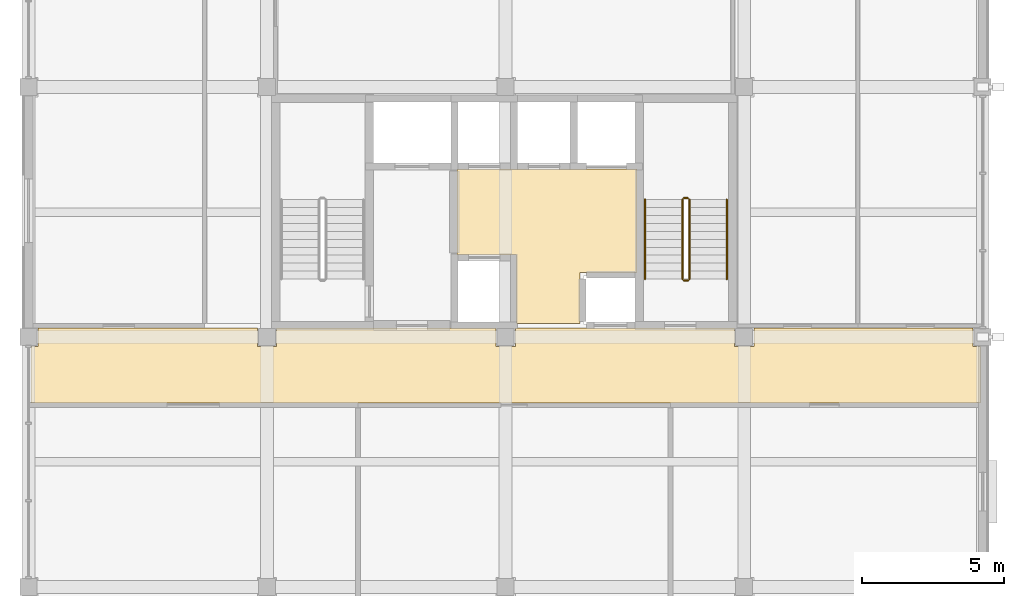
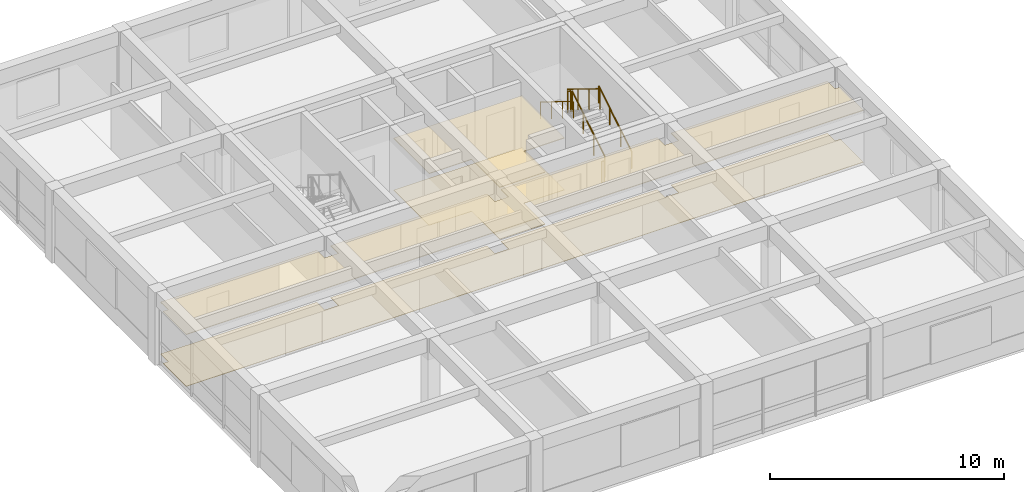
# One storey, part 11 of 12: 6 railings, 4 coverings.
"""IFC4 building model written with IfcOpenShell, lengths in metres."""

from ifc_helpers import new_model, si_unit, direction, frame, origin, origin_2d, place, context, subcontext, project, spatial, polyline, circle, outline, extrude, material, layer, layer_set, type_object, element, save


model = new_model("IFC4")

# Units and contexts
model_context = context("Model", 3, precision=1e-05, world=origin(), true_north=direction((0.0, 1.0)))
body_context = subcontext(model_context, "Body", "Model", "MODEL_VIEW")
ifc_project = project(units=[si_unit("LENGTHUNIT", "METRE"), si_unit("AREAUNIT", "SQUARE_METRE"), si_unit("VOLUMEUNIT", "CUBIC_METRE"), si_unit("PLANEANGLEUNIT", "RADIAN"), si_unit("MASSUNIT", "GRAM", prefix="KILO")], contexts=[model_context])

# Site, building, storey
site_placement = place(None, origin())
site = spatial("IfcSite", under=ifc_project, at=site_placement, CompositionType="ELEMENT")
building_placement = place(site_placement, origin())
building = spatial("IfcBuilding", under=site, at=building_placement, Name="Kemercrest Conservatory and Botanical Centre", CompositionType="ELEMENT")
storey_placement = place(building_placement, frame((0.0, 0.0, 52.199951171875)))
storey = spatial("IfcBuildingStorey", under=building, at=storey_placement, Name="L13", CompositionType="ELEMENT", Elevation=52.199951171875)

# Coverings
ifc_material_1 = material(Name="Perforated acoustic gypsum and mineral-fibre suspended ceiling", Category="gypsum")
ifc_layer_1 = layer(ifc_material_1, 0.034912109375)
ifc_layer_set_1 = layer_set([ifc_layer_1], Name="Perforated acoustic gypsum and mineral-fibre suspended ceiling")
covering_type_1 = type_object("IfcCoveringType", Name="CV-CLG035", PredefinedType="CEILING", material=ifc_layer_set_1)
covering_1_placement = place(storey_placement, frame((0.0, 0.0, 2.699951171875)))
element("IfcCovering", 1, at=covering_1_placement, inside=storey, type_object=covering_type_1, Name="Tower Lift Lobby suspended acoustic ceiling", PredefinedType="CEILING", context=body_context, shape_type="SweptSolid", body=[
    extrude(outline(polyline([(159.580078125, 107.679931640625), (159.580078125, 105.280029296875), (161.820068359375, 105.280029296875), (161.820068359375, 107.080078125), (163.820068359375, 107.080078125), (163.820068359375, 110.719970703125), (157.47998046875, 110.719970703125), (157.47998046875, 107.679931640625), (159.580078125, 107.679931640625)])), origin(), (0.0, 0.0, 1.0), 0.03515625),
])
covering_2_placement = place(storey_placement, frame((0.0, 0.0, 2.699951171875)))
element("IfcCovering", 2, at=covering_2_placement, inside=storey, type_object=covering_type_1, Name="Fellowship Corridor suspended acoustic ceiling", PredefinedType="CEILING", context=body_context, shape_type="SweptSolid", body=[
    extrude(outline(polyline([(142.47998046875, 102.47998046875), (175.919921875, 102.47998046875), (175.919921875, 104.4599609375), (175.659912109375, 104.4599609375), (175.659912109375, 105.1201171875), (167.93994140625, 105.1201171875), (167.93994140625, 104.4599609375), (167.260009765625, 104.4599609375), (167.260009765625, 105.1201171875), (159.5400390625, 105.1201171875), (159.5400390625, 104.4599609375), (158.860107421875, 104.4599609375), (158.860107421875, 105.1201171875), (151.139892578125, 105.1201171875), (151.139892578125, 104.4599609375), (150.4599609375, 104.4599609375), (150.4599609375, 105.1201171875), (142.739990234375, 105.1201171875), (142.739990234375, 104.4599609375), (142.47998046875, 104.4599609375), (142.47998046875, 102.47998046875)])), origin(), (0.0, 0.0, 1.0), 0.03515625),
])
ifc_material_2 = material(Name="Polished limestone terrazzo and seamless laboratory epoxy flooring", Category="masonry")
ifc_layer_2 = layer(ifc_material_2, 0.02001953125)
ifc_layer_set_2 = layer_set([ifc_layer_2], Name="Polished limestone terrazzo and seamless laboratory epoxy flooring")
covering_type_2 = type_object("IfcCoveringType", Name="CV-FLR020", PredefinedType="FLOORING", material=ifc_layer_set_2)
covering_3_placement = place(storey_placement, origin())
element("IfcCovering", 3, at=covering_3_placement, inside=storey, type_object=covering_type_2, Name="Tower Lift Lobby floor finish", PredefinedType="FLOORING", context=body_context, shape_type="SweptSolid", body=[
    extrude(outline(polyline([(159.580078125, 107.679931640625), (159.580078125, 105.280029296875), (161.820068359375, 105.280029296875), (161.820068359375, 107.080078125), (163.820068359375, 107.080078125), (163.820068359375, 110.719970703125), (157.47998046875, 110.719970703125), (157.47998046875, 107.679931640625), (159.580078125, 107.679931640625)])), origin(), (0.0, 0.0, 1.0), 0.02001953125),
])
covering_4_placement = place(storey_placement, origin())
element("IfcCovering", 4, at=covering_4_placement, inside=storey, type_object=covering_type_2, Name="Fellowship Corridor floor finish", PredefinedType="FLOORING", context=body_context, shape_type="SweptSolid", body=[
    extrude(outline(polyline([(142.47998046875, 102.47998046875), (175.919921875, 102.47998046875), (175.919921875, 104.4599609375), (175.659912109375, 104.4599609375), (175.659912109375, 105.1201171875), (167.93994140625, 105.1201171875), (167.93994140625, 104.4599609375), (167.260009765625, 104.4599609375), (167.260009765625, 105.1201171875), (159.5400390625, 105.1201171875), (159.5400390625, 104.4599609375), (158.860107421875, 104.4599609375), (158.860107421875, 105.1201171875), (151.139892578125, 105.1201171875), (151.139892578125, 104.4599609375), (150.4599609375, 104.4599609375), (150.4599609375, 105.1201171875), (142.739990234375, 105.1201171875), (142.739990234375, 104.4599609375), (142.47998046875, 104.4599609375), (142.47998046875, 102.47998046875)])), origin(), (0.0, 0.0, 1.0), 0.02001953125),
])

# Railings
ifc_material_3 = material(Name="Painted galvanized steel tubular stair guardrail", Category="steel")
railing_type_1 = type_object("IfcRailingType", Name="GR-STR110", PredefinedType="GUARDRAIL", material=ifc_material_3)
railing_1_placement = place(storey_placement, frame((165.669921875, 106.840087890625, 0.1728515625)))
element("IfcRailing", 5, at=railing_1_placement, inside=storey, type_object=railing_type_1, Name="L13 ST-V4B stair guard 1", PredefinedType="GUARDRAIL", context=body_context, shape_type="SweptSolid", body=[
    extrude(circle(Radius=0.02392578125, at=origin_2d()), frame((0.0, 0.0, 1.076171875), z_axis=(0.0, 0.851069175582, 0.525053576669), x_axis=(-1.0, 0.0, 0.0)), (0.0, 0.0, 1.0), 3.289794921875),
    extrude(circle(Radius=0.02099609375, at=origin_2d()), origin(), (0.0, 0.0, 1.0), 1.052001953125),
    extrude(circle(Radius=0.02099609375, at=origin_2d()), frame((0.0, 0.933349609375, 0.57568359375)), (0.0, 0.0, 1.0), 1.052001953125),
    extrude(circle(Radius=0.02099609375, at=origin_2d()), frame((0.0, 1.866455078125, 1.151611328125)), (0.0, 0.0, 1.0), 1.052001953125),
    extrude(circle(Radius=0.02099609375, at=origin_2d()), frame((0.0, 2.7998046875, 1.727294921875)), (0.0, 0.0, 1.0), 1.052001953125),
])
railing_2_placement = place(storey_placement, frame((165.6201171875, 109.68994140625, 1.900146484375)))
element("IfcRailing", 6, at=railing_2_placement, inside=storey, type_object=railing_type_1, Name="L13 ST-V4B stair guard 2", PredefinedType="GUARDRAIL", context=body_context, shape_type="SweptSolid", body=[
    extrude(circle(Radius=0.02392578125, at=origin_2d()), frame((0.0, 0.0, 1.076171875), z_axis=(-1.0, 0.0, 0.0), x_axis=(0.0, -1.0, 0.0)), (0.0, 0.0, 1.0), 0.14013671875),
    extrude(circle(Radius=0.02099609375, at=origin_2d()), origin(), (0.0, 0.0, 1.0), 1.052001953125),
    extrude(circle(Radius=0.02099609375, at=origin_2d()), frame((-0.14013671875, 0.0, 0.0)), (0.0, 0.0, 1.0), 1.052001953125),
])
railing_3_placement = place(storey_placement, frame((165.429931640625, 109.639892578125, 2.07275390625)))
element("IfcRailing", 7, at=railing_3_placement, inside=storey, type_object=railing_type_1, Name="L13 ST-V4B stair guard 3", PredefinedType="GUARDRAIL", context=body_context, shape_type="SweptSolid", body=[
    extrude(circle(Radius=0.02392578125, at=origin_2d()), frame((0.0, 0.0, 1.076171875), z_axis=(0.0, -0.851069175582, 0.525053576669), x_axis=(1.0, 0.0, 0.0)), (0.0, 0.0, 1.0), 3.289794921875),
    extrude(circle(Radius=0.02099609375, at=origin_2d()), origin(), (0.0, 0.0, 1.0), 1.052001953125),
    extrude(circle(Radius=0.02099609375, at=origin_2d()), frame((0.0, -0.933349609375, 0.57568359375)), (0.0, 0.0, 1.0), 1.052001953125),
    extrude(circle(Radius=0.02099609375, at=origin_2d()), frame((0.0, -1.866455078125, 1.151611328125)), (0.0, 0.0, 1.0), 1.052001953125),
    extrude(circle(Radius=0.02099609375, at=origin_2d()), frame((0.0, -2.7998046875, 1.727294921875)), (0.0, 0.0, 1.0), 1.052001953125),
])
railing_4_placement = place(storey_placement, frame((165.6201171875, 106.7900390625, 0.0)))
element("IfcRailing", 8, at=railing_4_placement, inside=storey, type_object=railing_type_1, Name="L13 ST-V4B stair guard 4", PredefinedType="GUARDRAIL", context=body_context, shape_type="SweptSolid", body=[
    extrude(circle(Radius=0.02392578125, at=origin_2d()), frame((0.0, 0.0, 1.076171875), z_axis=(-1.0, 0.0, 0.0), x_axis=(0.0, -1.0, 0.0)), (0.0, 0.0, 1.0), 0.14013671875),
    extrude(circle(Radius=0.02099609375, at=origin_2d()), origin(), (0.0, 0.0, 1.0), 1.052001953125),
    extrude(circle(Radius=0.02099609375, at=origin_2d()), frame((-0.14013671875, 0.0, 0.0)), (0.0, 0.0, 1.0), 1.052001953125),
])
ifc_material_4 = material(Name="Brushed stainless steel wall-mounted handrail", Category="steel")
railing_type_2 = type_object("IfcRailingType", Name="HR-STR090", PredefinedType="HANDRAIL", material=ifc_material_4)
railing_5_placement = place(storey_placement, frame((166.989990234375, 106.840087890625, 0.1728515625)))
element("IfcRailing", 9, at=railing_5_placement, inside=storey, type_object=railing_type_2, Name="L13 ST-V4B stair handrail 1", PredefinedType="HANDRAIL", context=body_context, shape_type="SweptSolid", body=[
    extrude(circle(Radius=0.02392578125, at=origin_2d()), frame((0.0, 0.0, 0.8759765625), z_axis=(0.0, 0.851069175582, 0.525053576669), x_axis=(-1.0, 0.0, 0.0)), (0.0, 0.0, 1.0), 3.289794921875),
    extrude(circle(Radius=0.02099609375, at=origin_2d()), origin(), (0.0, 0.0, 1.0), 0.851806640625),
    extrude(circle(Radius=0.02099609375, at=origin_2d()), frame((0.0, 0.933349609375, 0.57568359375)), (0.0, 0.0, 1.0), 0.851806640625),
    extrude(circle(Radius=0.02099609375, at=origin_2d()), frame((0.0, 1.866455078125, 1.151611328125)), (0.0, 0.0, 1.0), 0.851806640625),
    extrude(circle(Radius=0.02099609375, at=origin_2d()), frame((0.0, 2.7998046875, 1.727294921875)), (0.0, 0.0, 1.0), 0.851806640625),
])
railing_6_placement = place(storey_placement, frame((164.110107421875, 109.639892578125, 2.07275390625)))
element("IfcRailing", 10, at=railing_6_placement, inside=storey, type_object=railing_type_2, Name="L13 ST-V4B stair handrail 2", PredefinedType="HANDRAIL", context=body_context, shape_type="SweptSolid", body=[
    extrude(circle(Radius=0.02392578125, at=origin_2d()), frame((0.0, 0.0, 0.8759765625), z_axis=(0.0, -0.851069175582, 0.525053576669), x_axis=(1.0, 0.0, 0.0)), (0.0, 0.0, 1.0), 3.289794921875),
    extrude(circle(Radius=0.02099609375, at=origin_2d()), origin(), (0.0, 0.0, 1.0), 0.851806640625),
    extrude(circle(Radius=0.02099609375, at=origin_2d()), frame((0.0, -0.933349609375, 0.57568359375)), (0.0, 0.0, 1.0), 0.851806640625),
    extrude(circle(Radius=0.02099609375, at=origin_2d()), frame((0.0, -1.866455078125, 1.151611328125)), (0.0, 0.0, 1.0), 0.851806640625),
    extrude(circle(Radius=0.02099609375, at=origin_2d()), frame((0.0, -2.7998046875, 1.727294921875)), (0.0, 0.0, 1.0), 0.851806640625),
])

save(model, "model.ifc")
